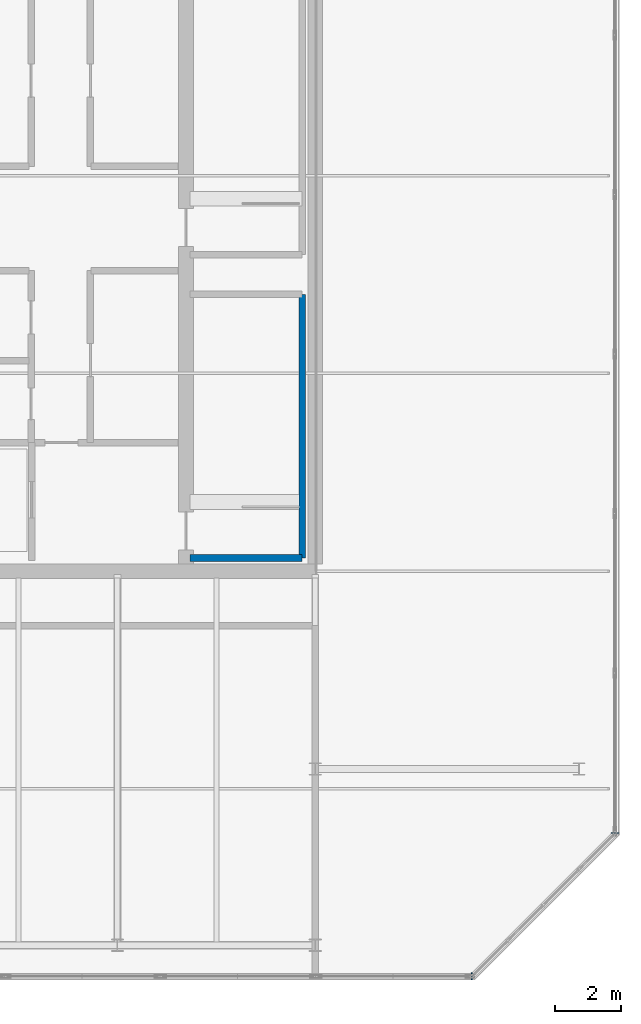
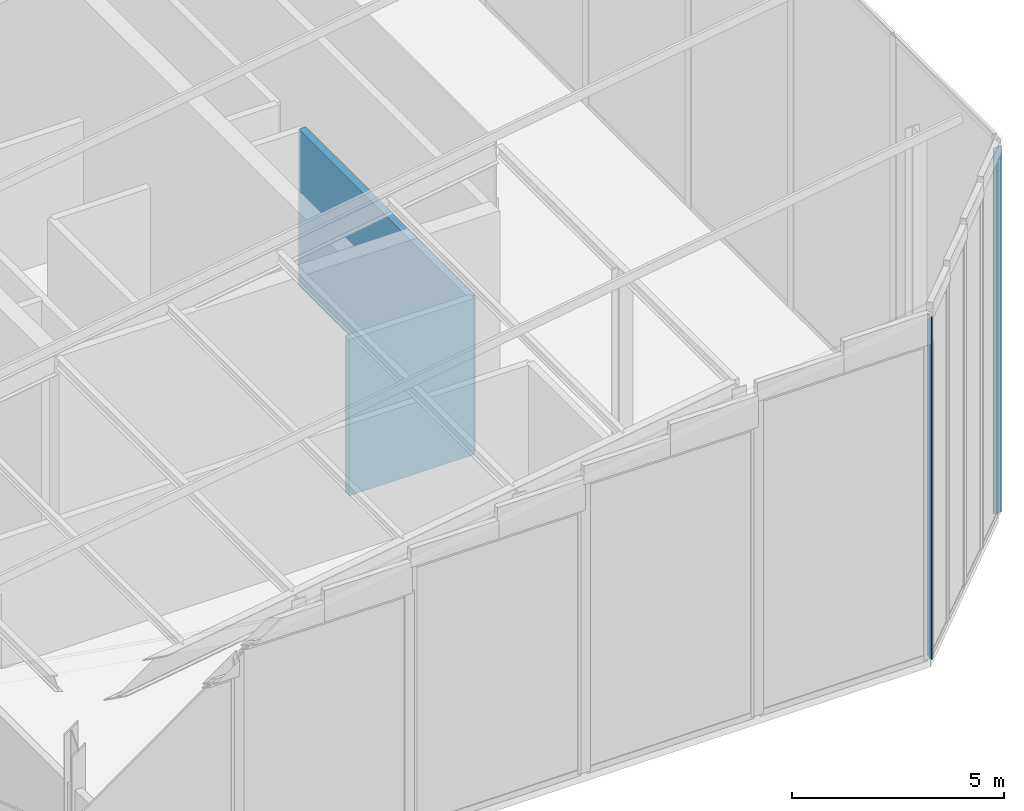
# One storey, part 26 of 30: 4 walls.
"""IFC4 building model written with IfcOpenShell, lengths in metres."""

from ifc_helpers import new_model, si_unit, direction, frame, frame_2d, origin, place, context, subcontext, project, spatial, rectangle, extrude, material, layer, layer_set, type_object, element, save


model = new_model("IFC4")

# Units and contexts
model_context = context("Model", 3, precision=1e-05, world=origin(), true_north=direction((0.0, 1.0)))
body_context = subcontext(model_context, "Body", "Model", "MODEL_VIEW")
ifc_project = project(units=[si_unit("LENGTHUNIT", "METRE"), si_unit("AREAUNIT", "SQUARE_METRE"), si_unit("VOLUMEUNIT", "CUBIC_METRE"), si_unit("PLANEANGLEUNIT", "RADIAN"), si_unit("MASSUNIT", "GRAM", prefix="KILO")], contexts=[model_context])

# Site, building, storey
site_placement = place(None, origin())
site = spatial("IfcSite", under=ifc_project, at=site_placement, CompositionType="ELEMENT")
building_placement = place(site_placement, origin())
building = spatial("IfcBuilding", under=site, at=building_placement, Name="Tanjung Sevakor Pilgrim Tower", CompositionType="ELEMENT")
storey_placement = place(building_placement, frame((0.0, 0.0, 287.760009765625)))
storey = spatial("IfcBuildingStorey", under=building, at=storey_placement, Name="L80", CompositionType="ELEMENT", Elevation=287.760009765625)

# Walls
ifc_material_1 = material(Name="Precast concrete C45/55", Category="concrete")
ifc_layer_1 = layer(ifc_material_1, 0.219970703125)
ifc_layer_set_1 = layer_set([ifc_layer_1], Name="WT-EW-STN4")
wall_type_1 = type_object("IfcWallType", Name="WT-EW-STN4", PredefinedType="SOLIDWALL", material=ifc_layer_set_1)
wall_1_placement = place(storey_placement, frame((94.734375, 12.31005859375, 0.0), z_axis=(0.0, 0.0, 1.0), x_axis=(1.0, 0.0, 0.0)))
element("IfcWall", 1, at=wall_1_placement, inside=storey, type_object=wall_type_1, Name="L80 EAST Crown Pier 0-1B", PredefinedType="SOLIDWALL", context=body_context, shape_type="SweptSolid", body=[
    extrude(rectangle(XDim=0.02001953125, YDim=0.219970703125, at=frame_2d((0.010009765625, 0.0))), origin(), (0.0, 0.0, 1.0), 9.8583984375),
])
wall_2_placement = place(storey_placement, frame((99.090087890625, 16.6455078125, 0.0), z_axis=(0.0, 0.0, 1.0), x_axis=(0.0, 1.0, 0.0)))
element("IfcWall", 2, at=wall_2_placement, inside=storey, type_object=wall_type_1, Name="L80 EAST Crown Pier 2-1A", PredefinedType="SOLIDWALL", context=body_context, shape_type="SweptSolid", body=[
    extrude(rectangle(XDim=0.02001953125, YDim=0.219970703125, at=frame_2d((0.010009765625, 0.0))), origin(), (0.0, 0.0, 1.0), 10.542724609375),
])
ifc_material_2 = material(Name="Concrete C40/50", Category="concrete")
ifc_layer_2 = layer(ifc_material_2, 0.199951171875)
ifc_layer_set_2 = layer_set([ifc_layer_2], Name="WT-FIRE-200")
wall_type_2 = type_object("IfcWallType", Name="WT-FIRE-200", PredefinedType="SOLIDWALL", material=ifc_layer_set_2)
wall_3_placement = place(storey_placement, frame((86.199951171875, 25.0, 0.0), z_axis=(0.0, 0.0, 1.0), x_axis=(1.0, 0.0, 0.0)))
element("IfcWall", 3, at=wall_3_placement, inside=storey, type_object=wall_type_2, Name="L80 TS-E1 Shaft Wall 1", PredefinedType="SOLIDWALL", context=body_context, shape_type="SweptSolid", body=[
    extrude(rectangle(XDim=3.400146484375, YDim=0.199951171875, at=frame_2d((1.7001953125, 0.0))), origin(), (0.0, 0.0, 1.0), 4.5),
])
wall_4_placement = place(storey_placement, frame((89.60009765625, 25.0, 0.0), z_axis=(0.0, 0.0, 1.0), x_axis=(0.0, 1.0, 0.0)))
element("IfcWall", 4, at=wall_4_placement, inside=storey, type_object=wall_type_2, Name="L80 TS-E1 Shaft Wall 2", PredefinedType="SOLIDWALL", context=body_context, shape_type="SweptSolid", body=[
    extrude(rectangle(XDim=8.0, YDim=0.199951171875, at=frame_2d((4.0, 0.0))), origin(), (0.0, 0.0, 1.0), 4.5),
])

save(model, "model.ifc")
